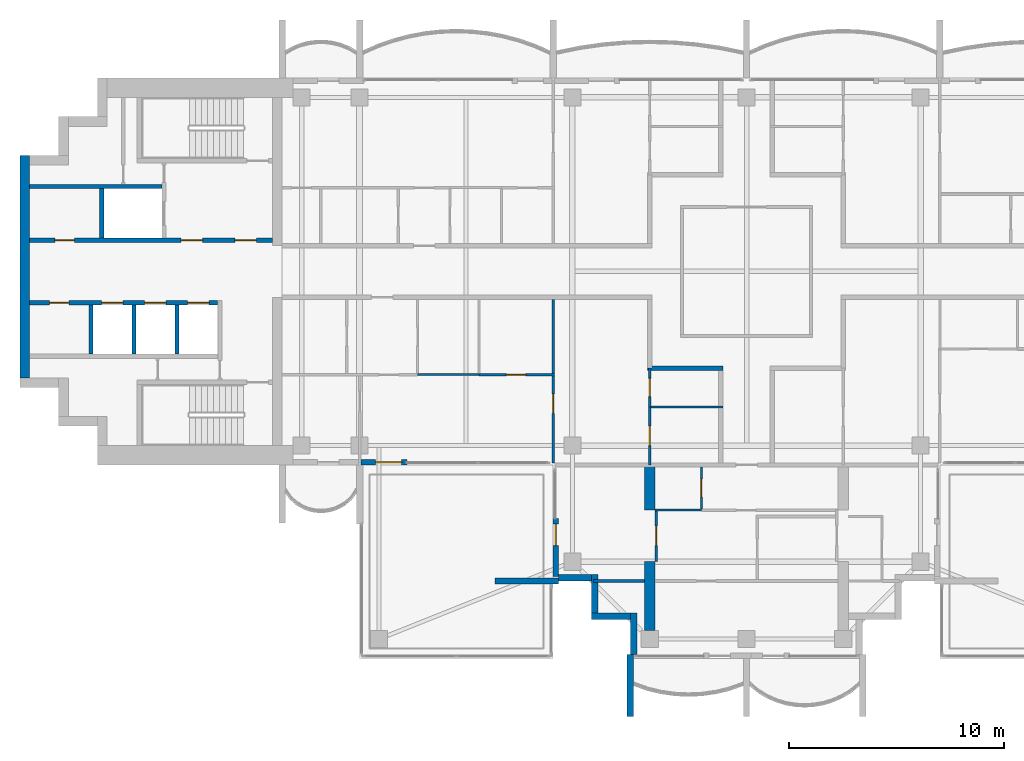
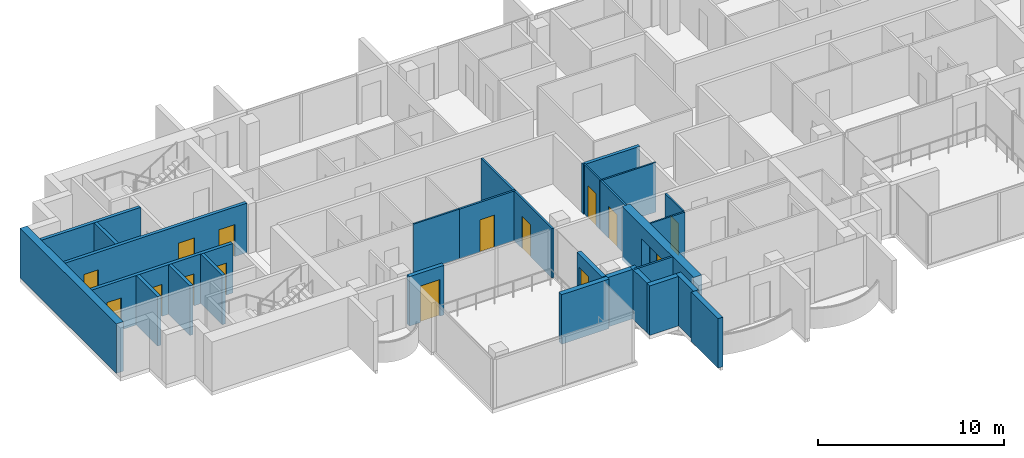
# One storey, part 7 of 16: 28 walls, 15 doors, 15 openings.
"""IFC4 building model written with IfcOpenShell, lengths in metres."""

from ifc_helpers import new_model, si_unit, direction, frame, frame_2d, origin, place, context, subcontext, project, spatial, polyline, rectangle, outline, extrude, material, layer, layer_set, material_profile, profile_set, type_object, element, fill, save


model = new_model("IFC4")

# Units and contexts
model_context = context("Model", 3, precision=1e-05, world=origin(), true_north=direction((0.0, 1.0)))
body_context = subcontext(model_context, "Body", "Model", "MODEL_VIEW")
ifc_project = project(units=[si_unit("LENGTHUNIT", "METRE"), si_unit("AREAUNIT", "SQUARE_METRE"), si_unit("VOLUMEUNIT", "CUBIC_METRE"), si_unit("PLANEANGLEUNIT", "RADIAN"), si_unit("MASSUNIT", "GRAM", prefix="KILO")], contexts=[model_context])

# Site, building, storey
site_placement = place(None, origin())
site = spatial("IfcSite", under=ifc_project, at=site_placement, CompositionType="ELEMENT")
building_placement = place(site_placement, origin())
building = spatial("IfcBuilding", under=site, at=building_placement, Name="Perihelion Cross Residences", CompositionType="ELEMENT")
storey_placement = place(building_placement, frame((0.0, 0.0, 257.0)))
storey = spatial("IfcBuildingStorey", under=building, at=storey_placement, Name="L65", CompositionType="ELEMENT", Elevation=257.0)

# Wall
ifc_material_1 = material(Name="Plasterboard partition")
ifc_layer_1 = layer(ifc_material_1, 0.199951171875)
ifc_layer_set_1 = layer_set([ifc_layer_1], Name="Apartment separation wall 200")
wall_type_1 = type_object("IfcWallType", Name="Apartment separation wall 200", PredefinedType="PARTITIONING", material=ifc_layer_set_1)
wall_1_placement = place(storey_placement, frame((-1.10009765625, -4.5, 0.0), z_axis=(0.0, 0.0, 1.0), x_axis=(-1.0, 0.0, 0.0)))
element("IfcWall", 1, at=wall_1_placement, inside=storey, type_object=wall_type_1, Name="Partition L65 W020", PredefinedType="PARTITIONING", context=body_context, shape_type="SweptSolid", body=[
    extrude(rectangle(XDim=3.5, YDim=0.199951171875, at=frame_2d((1.75, 0.0))), origin(), (0.0, 0.0, 1.0), 3.25),
])

# Wall, opening, door
ifc_material_2 = material(Name="Concrete C30/37, bronze-clad", Category="concrete")
ifc_layer_2 = layer(ifc_material_2, 0.25)
ifc_layer_set_2 = layer_set([ifc_layer_2], Name="Bronze-clad pier wall 250")
wall_type_2 = type_object("IfcWallType", Name="Bronze-clad pier wall 250", PredefinedType="SOLIDWALL", material=ifc_layer_set_2)
wall_2_placement = place(storey_placement, frame((-17.93994140625, -8.875, 0.0), z_axis=(0.0, 0.0, 1.0), x_axis=(1.0, 0.0, 0.0)))
wall_2 = element("IfcWall", 2, at=wall_2_placement, inside=storey, type_object=wall_type_2, Name="Wall FW1 L65 west side south bay 2 pier", PredefinedType="SOLIDWALL", context=body_context, shape_type="SweptSolid", body=[
    extrude(rectangle(XDim=2.139892578125, YDim=0.25, at=frame_2d((1.06982421875, 0.0))), origin(), (0.0, 0.0, 1.0), 3.25),
])
opening_1_placement = place(wall_2_placement, frame((0.68994140625, 0.0, 0.0)))
opening_1 = element("IfcOpeningElement", 3, at=opening_1_placement, cuts=wall_2, Name="Opening L65.E08", PredefinedType="OPENING", context=body_context, shape_type="SweptSolid", body=[
    extrude(rectangle(XDim=1.199951171875, YDim=2.39990234375, at=frame_2d((0.60009765625, 1.199951171875))), frame((0.0, 0.135009765625, 0.0), z_axis=(0.0, -1.0, 0.0), x_axis=(1.0, 0.0, 0.0)), (0.0, 0.0, 1.0), 0.27001953125),
])
ifc_material_3 = material(Name="Bronze anodised aluminium, glazed", Category="aluminium")
door_type_1 = type_object("IfcDoorType", Name="Balcony door 1200 x 2400", OperationType="NOTDEFINED", PredefinedType="DOOR", material=ifc_material_3)
door_1_placement = place(opening_1_placement, origin())
door_1 = element("IfcDoor", 4, at=door_1_placement, inside=storey, type_object=door_type_1, Name="Door L65.E08 west side south bay 2", OperationType="SINGLE_SWING_RIGHT", OverallHeight=2.39990234375, OverallWidth=1.199951171875, PredefinedType="DOOR", context=body_context, shape_type="SweptSolid", body=[
    extrude(rectangle(XDim=1.199951171875, YDim=2.39990234375, at=frame_2d((0.60009765625, 1.199951171875))), frame((0.0, 0.02490234375, 0.0), z_axis=(0.0, -1.0, 0.0), x_axis=(1.0, 0.0, 0.0)), (0.0, 0.0, 1.0), 0.050048828125),
])
fill(opening_1, door_1)

wall_3_placement = place(storey_placement, frame((-8.875, -11.5, 0.0), z_axis=(0.0, 0.0, 1.0), x_axis=(0.0, -1.0, 0.0)))
wall_3 = element("IfcWall", 5, at=wall_3_placement, inside=storey, type_object=wall_type_2, Name="Wall FW1 L65 south side west bay 1 pier", PredefinedType="SOLIDWALL", context=body_context, shape_type="SweptSolid", body=[
    extrude(rectangle(XDim=2.699951171875, YDim=0.25, at=frame_2d((1.35009765625, 0.0))), origin(), (0.0, 0.0, 1.0), 3.25),
])
opening_2_placement = place(wall_3_placement, frame((0.25, 0.0, 0.0)))
opening_2 = element("IfcOpeningElement", 6, at=opening_2_placement, cuts=wall_3, Name="Opening L65.E09", PredefinedType="OPENING", context=body_context, shape_type="SweptSolid", body=[
    extrude(rectangle(XDim=1.0, YDim=2.39990234375, at=frame_2d((0.5, 1.199951171875))), frame((0.0, 0.135009765625, 0.0), z_axis=(0.0, -1.0, 0.0), x_axis=(1.0, 0.0, 0.0)), (0.0, 0.0, 1.0), 0.27001953125),
])
ifc_material_4 = material(Name="Bronze anodised aluminium, glazed", Category="aluminium")
door_type_2 = type_object("IfcDoorType", Name="Balcony door 1000 x 2400", OperationType="NOTDEFINED", PredefinedType="DOOR", material=ifc_material_4)
door_2_placement = place(opening_2_placement, origin())
door_2 = element("IfcDoor", 7, at=door_2_placement, inside=storey, type_object=door_type_2, Name="Door L65.E09 south side west bay 1", OperationType="SINGLE_SWING_LEFT", OverallHeight=2.39990234375, OverallWidth=1.0, PredefinedType="DOOR", context=body_context, shape_type="SweptSolid", body=[
    extrude(rectangle(XDim=1.0, YDim=2.39990234375, at=frame_2d((0.5, 1.199951171875))), frame((0.0, 0.02490234375, 0.0), z_axis=(0.0, -1.0, 0.0), x_axis=(1.0, 0.0, 0.0)), (0.0, 0.0, 1.0), 0.050048828125),
])
fill(opening_2, door_2)

# Walls
ifc_material_5 = material(Name="Concrete C30/37, bronze-clad", Category="concrete")
ifc_layer_3 = layer(ifc_material_5, 0.300048828125)
ifc_layer_set_3 = layer_set([ifc_layer_3], Name="Bronze-clad serration wall 300")
wall_type_3 = type_object("IfcWallType", Name="Bronze-clad serration wall 300", PredefinedType="SOLIDWALL", material=ifc_layer_set_3)
wall_4_placement = place(storey_placement, frame((-8.75, -14.25, 0.0), z_axis=(0.0, 0.0, 1.0), x_axis=(1.0, 0.0, 0.0)))
element("IfcWall", 8, at=wall_4_placement, inside=storey, type_object=wall_type_3, Name="Wall SR1 L65 south corner south-west 1", PredefinedType="SOLIDWALL", context=body_context, shape_type="SweptSolid", body=[
    extrude(rectangle(XDim=1.550048828125, YDim=0.300048828125, at=frame_2d((0.77490234375, 0.0))), origin(), (0.0, 0.0, 1.0), 3.25),
])
wall_5_placement = place(storey_placement, frame((-7.050048828125, -14.10009765625, 0.0), z_axis=(0.0, 0.0, 1.0), x_axis=(0.0, -1.0, 0.0)))
element("IfcWall", 9, at=wall_5_placement, inside=storey, type_object=wall_type_3, Name="Wall SR1 L65 south corner south-west 2", PredefinedType="SOLIDWALL", context=body_context, shape_type="SweptSolid", body=[
    extrude(rectangle(XDim=1.7998046875, YDim=0.300048828125, at=frame_2d((0.89990234375, 0.0))), origin(), (0.0, 0.0, 1.0), 3.25),
])
wall_6_placement = place(storey_placement, frame((-7.199951171875, -16.050048828125, 0.0), z_axis=(0.0, 0.0, 1.0), x_axis=(1.0, 0.0, 0.0)))
element("IfcWall", 10, at=wall_6_placement, inside=storey, type_object=wall_type_3, Name="Wall SR1 L65 south corner south-west 3", PredefinedType="SOLIDWALL", context=body_context, shape_type="SweptSolid", body=[
    extrude(rectangle(XDim=1.800048828125, YDim=0.300048828125, at=frame_2d((0.89990234375, 0.0))), origin(), (0.0, 0.0, 1.0), 3.25),
])
wall_7_placement = place(storey_placement, frame((-5.25, -15.89990234375, 0.0), z_axis=(0.0, 0.0, 1.0), x_axis=(0.0, -1.0, 0.0)))
element("IfcWall", 11, at=wall_7_placement, inside=storey, type_object=wall_type_3, Name="Wall SR1 L65 south corner south-west 4", PredefinedType="SOLIDWALL", context=body_context, shape_type="SweptSolid", body=[
    extrude(rectangle(XDim=1.920166015625, YDim=0.300048828125, at=frame_2d((0.9599609375, 0.0))), origin(), (0.0, 0.0, 1.0), 3.25),
])
ifc_material_6 = material(Name="Concrete C60/75", Category="concrete")
ifc_layer_4 = layer(ifc_material_6, 0.449951171875)
ifc_layer_set_4 = layer_set([ifc_layer_4], Name="Core wall, outer 450")
wall_type_4 = type_object("IfcWallType", Name="Core wall, outer 450", PredefinedType="SHEAR", material=ifc_layer_set_4)
wall_8_placement = place(storey_placement, frame((-33.574951171875, -4.949951171875, 0.0), z_axis=(0.0, 0.0, 1.0), x_axis=(0.0, 1.0, 0.0)))
element("IfcWall", 12, at=wall_8_placement, inside=storey, type_object=wall_type_4, Name="West core core wall, outer", PredefinedType="SHEAR", context=body_context, shape_type="SweptSolid", body=[
    extrude(rectangle(XDim=10.349853515625, YDim=0.449951171875, at=frame_2d((5.1748046875, 0.0))), origin(), (0.0, 0.0, 1.0), 3.25),
])

# Wall, opening, door
ifc_material_7 = material(Name="Plasterboard partition")
ifc_layer_5 = layer(ifc_material_7, 0.1201171875)
ifc_layer_set_5 = layer_set([ifc_layer_5], Name="Infill panel 120")
wall_type_5 = type_object("IfcWallType", Name="Infill panel 120", PredefinedType="PARTITIONING", material=ifc_layer_set_5)
wall_9_placement = place(storey_placement, frame((-4.18994140625, -11.10009765625, 0.0), z_axis=(0.0, 0.0, 1.0), x_axis=(0.0, -1.0, 0.0)))
wall_9 = element("IfcWall", 13, at=wall_9_placement, inside=storey, type_object=wall_type_5, Name="Partition L65 WI02", PredefinedType="PARTITIONING", context=body_context, shape_type="SweptSolid", body=[
    extrude(rectangle(XDim=2.39990234375, YDim=0.1201171875, at=frame_2d((1.199951171875, 0.0))), origin(), (0.0, 0.0, 1.0), 2.39990234375),
])
opening_3_placement = place(wall_9_placement, frame((0.75, 0.0, 0.0)))
opening_3 = element("IfcOpeningElement", 14, at=opening_3_placement, cuts=wall_9, Name="Opening L65.A45", PredefinedType="OPENING", context=body_context, shape_type="SweptSolid", body=[
    extrude(rectangle(XDim=0.89990234375, YDim=2.10009765625, at=frame_2d((0.449951171875, 1.050048828125))), frame((0.0, 0.070068359375, 0.0), z_axis=(0.0, -1.0, 0.0), x_axis=(1.0, 0.0, 0.0)), (0.0, 0.0, 1.0), 0.14013671875),
])
ifc_material_8 = material(Name="Timber door leaf", Category="wood")
door_type_3 = type_object("IfcDoorType", Name="Interior room door 900 x 2100", OperationType="SINGLE_SWING_LEFT", PredefinedType="DOOR", material=ifc_material_8)
door_3_placement = place(opening_3_placement, origin())
door_3 = element("IfcDoor", 15, at=door_3_placement, inside=storey, type_object=door_type_3, Name="Door L65.A45", OperationType="SINGLE_SWING_LEFT", OverallHeight=2.10009765625, OverallWidth=0.89990234375, PredefinedType="DOOR", context=body_context, shape_type="SweptSolid", body=[
    extrude(rectangle(XDim=0.89990234375, YDim=2.10009765625, at=frame_2d((0.449951171875, 1.050048828125))), frame((0.0, 0.02490234375, 0.0), z_axis=(0.0, -1.0, 0.0), x_axis=(1.0, 0.0, 0.0)), (0.0, 0.0, 1.0), 0.050048828125),
])
fill(opening_3, door_3)

ifc_material_9 = material(Name="Plasterboard partition")
ifc_layer_6 = layer(ifc_material_9, 0.1201171875)
ifc_layer_set_6 = layer_set([ifc_layer_6], Name="Partition wall 120")
wall_type_6 = type_object("IfcWallType", Name="Partition wall 120", PredefinedType="PARTITIONING", material=ifc_layer_set_6)
wall_10_placement = place(storey_placement, frame((-8.93994140625, -4.800048828125, 0.0), z_axis=(0.0, 0.0, 1.0), x_axis=(-1.0, 0.0, 0.0)))
wall_10 = element("IfcWall", 16, at=wall_10_placement, inside=storey, type_object=wall_type_6, Name="Partition L65 W055", PredefinedType="PARTITIONING", context=body_context, shape_type="SweptSolid", body=[
    extrude(rectangle(XDim=3.510009765625, YDim=0.1201171875, at=frame_2d((1.7548828125, 0.0))), origin(), (0.0, 0.0, 1.0), 3.25),
])
opening_4_placement = place(wall_10_placement, frame((1.3349609375, 0.0, 0.0)))
opening_4 = element("IfcOpeningElement", 17, at=opening_4_placement, cuts=wall_10, Name="Opening L65.A33", PredefinedType="OPENING", context=body_context, shape_type="SweptSolid", body=[
    extrude(rectangle(XDim=0.89990234375, YDim=2.10009765625, at=frame_2d((0.449951171875, 1.050048828125))), frame((0.0, 0.070068359375, 0.0), z_axis=(0.0, -1.0, 0.0), x_axis=(1.0, 0.0, 0.0)), (0.0, 0.0, 1.0), 0.14013671875),
])
door_4_placement = place(opening_4_placement, origin())
door_4 = element("IfcDoor", 18, at=door_4_placement, inside=storey, type_object=door_type_3, Name="Door L65.A33", OperationType="SINGLE_SWING_RIGHT", OverallHeight=2.10009765625, OverallWidth=0.89990234375, PredefinedType="DOOR", context=body_context, shape_type="SweptSolid", body=[
    extrude(rectangle(XDim=0.89990234375, YDim=2.10009765625, at=frame_2d((0.449951171875, 1.050048828125))), frame((0.0, 0.02490234375, 0.0), z_axis=(0.0, -1.0, 0.0), x_axis=(1.0, 0.0, 0.0)), (0.0, 0.0, 1.0), 0.050048828125),
])
fill(opening_4, door_4)

wall_11_placement = place(storey_placement, frame((-9.0, -1.300048828125, 0.0), z_axis=(0.0, 0.0, 1.0), x_axis=(0.0, -1.0, 0.0)))
wall_11 = element("IfcWall", 19, at=wall_11_placement, inside=storey, type_object=wall_type_6, Name="Partition L65 W056", PredefinedType="PARTITIONING", context=body_context, shape_type="SweptSolid", body=[
    extrude(rectangle(XDim=7.619873046875, YDim=0.1201171875, at=frame_2d((3.81005859375, 0.0))), origin(), (0.0, 0.0, 1.0), 3.25),
])
opening_5_placement = place(wall_11_placement, frame((4.39990234375, 0.0, 0.0)))
opening_5 = element("IfcOpeningElement", 20, at=opening_5_placement, cuts=wall_11, Name="Opening L65.A30", PredefinedType="OPENING", context=body_context, shape_type="SweptSolid", body=[
    extrude(rectangle(XDim=0.89990234375, YDim=2.10009765625, at=frame_2d((0.449951171875, 1.050048828125))), frame((0.0, 0.070068359375, 0.0), z_axis=(0.0, -1.0, 0.0), x_axis=(1.0, 0.0, 0.0)), (0.0, 0.0, 1.0), 0.14013671875),
])
door_5_placement = place(opening_5_placement, origin())
door_5 = element("IfcDoor", 21, at=door_5_placement, inside=storey, type_object=door_type_3, Name="Door L65.A30", OperationType="SINGLE_SWING_RIGHT", OverallHeight=2.10009765625, OverallWidth=0.89990234375, PredefinedType="DOOR", context=body_context, shape_type="SweptSolid", body=[
    extrude(rectangle(XDim=0.89990234375, YDim=2.10009765625, at=frame_2d((0.449951171875, 1.050048828125))), frame((0.0, 0.02490234375, 0.0), z_axis=(0.0, -1.0, 0.0), x_axis=(1.0, 0.0, 0.0)), (0.0, 0.0, 1.0), 0.050048828125),
])
fill(opening_5, door_5)

wall_12_placement = place(storey_placement, frame((-4.5, -6.300048828125, 0.0), z_axis=(0.0, 0.0, 1.0), x_axis=(0.0, -1.0, 0.0)))
wall_12 = element("IfcWall", 22, at=wall_12_placement, inside=storey, type_object=wall_type_6, Name="Partition L65 W063", PredefinedType="PARTITIONING", context=body_context, shape_type="SweptSolid", body=[
    extrude(rectangle(XDim=2.699951171875, YDim=0.1201171875, at=frame_2d((1.35009765625, 0.0))), origin(), (0.0, 0.0, 1.0), 3.25),
])
opening_6_placement = place(wall_12_placement, frame((0.89990234375, 0.0, 0.0)))
opening_6 = element("IfcOpeningElement", 23, at=opening_6_placement, cuts=wall_12, Name="Opening L65.A31", PredefinedType="OPENING", context=body_context, shape_type="SweptSolid", body=[
    extrude(rectangle(XDim=0.89990234375, YDim=2.10009765625, at=frame_2d((0.449951171875, 1.050048828125))), frame((0.0, 0.070068359375, 0.0), z_axis=(0.0, -1.0, 0.0), x_axis=(1.0, 0.0, 0.0)), (0.0, 0.0, 1.0), 0.14013671875),
])
door_6_placement = place(opening_6_placement, origin())
door_6 = element("IfcDoor", 24, at=door_6_placement, inside=storey, type_object=door_type_3, Name="Door L65.A31", OperationType="SINGLE_SWING_RIGHT", OverallHeight=2.10009765625, OverallWidth=0.89990234375, PredefinedType="DOOR", context=body_context, shape_type="SweptSolid", body=[
    extrude(rectangle(XDim=0.89990234375, YDim=2.10009765625, at=frame_2d((0.449951171875, 1.050048828125))), frame((0.0, 0.02490234375, 0.0), z_axis=(0.0, -1.0, 0.0), x_axis=(1.0, 0.0, 0.0)), (0.0, 0.0, 1.0), 0.050048828125),
])
fill(opening_6, door_6)

# Walls
wall_13_placement = place(storey_placement, frame((-4.75, -14.39990234375, 0.0), z_axis=(0.0, 0.0, 1.0), x_axis=(-1.0, 0.0, 0.0)))
element("IfcWall", 25, at=wall_13_placement, inside=storey, type_object=wall_type_6, Name="Partition L65 W075", PredefinedType="PARTITIONING", context=body_context, shape_type="SweptSolid", body=[
    extrude(rectangle(XDim=2.3701171875, YDim=0.1201171875, at=frame_2d((1.18505859375, 0.0))), origin(), (0.0, 0.0, 1.0), 3.25),
])
ifc_material_10 = material(Name="Precast concrete C50/60", Category="concrete")
ifc_layer_7 = layer(ifc_material_10, 0.300048828125)
ifc_layer_set_7 = layer_set([ifc_layer_7], Name="Precast concrete C50/60 blade wall 300")
wall_type_7 = type_object("IfcWallType", Name="Precast concrete C50/60 blade wall 300", PredefinedType="SOLIDWALL", material=ifc_layer_set_7)
wall_14_placement = place(storey_placement, frame((-8.75, -14.39990234375, 0.0), z_axis=(0.0, 0.0, 1.0), x_axis=(-1.0, 0.0, 0.0)))
element("IfcWall", 26, at=wall_14_placement, inside=storey, type_object=wall_type_7, Name="Wall BL1 L65 no. 6", PredefinedType="SOLIDWALL", context=body_context, shape_type="SweptSolid", body=[
    extrude(rectangle(XDim=2.949951171875, YDim=0.300048828125, at=frame_2d((1.47509765625, 0.0))), origin(), (0.0, 0.0, 1.0), 3.25),
])
wall_15_placement = place(storey_placement, frame((-5.39990234375, -17.820068359375, 0.0), z_axis=(0.0, 0.0, 1.0), x_axis=(0.0, -1.0, 0.0)))
element("IfcWall", 27, at=wall_15_placement, inside=storey, type_object=wall_type_7, Name="Wall BL1 L65 no. 5", PredefinedType="SOLIDWALL", context=body_context, shape_type="SweptSolid", body=[
    extrude(rectangle(XDim=2.8798828125, YDim=0.300048828125, at=frame_2d((1.43994140625, 0.0))), origin(), (0.0, 0.0, 1.0), 3.25),
])

# Wall, openings, doors
ifc_material_11 = material(Name="Concrete C50/60", Category="concrete")
ifc_layer_8 = layer(ifc_material_11, 0.199951171875)
ifc_layer_set_8 = layer_set([ifc_layer_8], Name="Shaft wall 200")
wall_type_8 = type_object("IfcWallType", Name="Shaft wall 200", PredefinedType="SOLIDWALL", material=ifc_layer_set_8)
wall_16_placement = place(storey_placement, frame((-33.35009765625, 1.449951171875, 0.0), z_axis=(0.0, 0.0, 1.0), x_axis=(1.0, 0.0, 0.0)))
wall_16 = element("IfcWall", 28, at=wall_16_placement, inside=storey, type_object=wall_type_8, Name="West core shaft wall", PredefinedType="SOLIDWALL", context=body_context, shape_type="SweptSolid", body=[
    extrude(rectangle(XDim=11.300048828125, YDim=0.199951171875, at=frame_2d((5.64990234375, 0.0))), origin(), (0.0, 0.0, 1.0), 3.25),
])
opening_7_placement = place(wall_16_placement, frame((9.550048828125, 0.0, 0.0)))
opening_7 = element("IfcOpeningElement", 29, at=opening_7_placement, cuts=wall_16, Name="Opening L65.C21", PredefinedType="OPENING", context=body_context, shape_type="SweptSolid", body=[
    extrude(rectangle(XDim=1.0, YDim=2.10009765625, at=frame_2d((0.5, 1.050048828125))), frame((0.0, 0.10986328125, 0.0), z_axis=(0.0, -1.0, 0.0), x_axis=(1.0, 0.0, 0.0)), (0.0, 0.0, 1.0), 0.219970703125),
])
opening_8_placement = place(wall_16_placement, frame((7.050048828125, 0.0, 0.0)))
opening_8 = element("IfcOpeningElement", 30, at=opening_8_placement, cuts=wall_16, Name="Opening L65.C23", PredefinedType="OPENING", context=body_context, shape_type="SweptSolid", body=[
    extrude(rectangle(XDim=1.0, YDim=2.10009765625, at=frame_2d((0.5, 1.050048828125))), frame((0.0, 0.10986328125, 0.0), z_axis=(0.0, -1.0, 0.0), x_axis=(1.0, 0.0, 0.0)), (0.0, 0.0, 1.0), 0.219970703125),
])
opening_9_placement = place(wall_16_placement, frame((1.175048828125, 0.0, 0.0)))
opening_9 = element("IfcOpeningElement", 31, at=opening_9_placement, cuts=wall_16, Name="Opening L65.C27", PredefinedType="OPENING", context=body_context, shape_type="SweptSolid", body=[
    extrude(rectangle(XDim=0.89990234375, YDim=2.10009765625, at=frame_2d((0.449951171875, 1.050048828125))), frame((0.0, 0.10986328125, 0.0), z_axis=(0.0, -1.0, 0.0), x_axis=(1.0, 0.0, 0.0)), (0.0, 0.0, 1.0), 0.219970703125),
])
ifc_material_12 = material(Name="Steel, powder coated", Category="steel")
door_type_4 = type_object("IfcDoorType", Name="Lobby door 1000", OperationType="SINGLE_SWING_LEFT", PredefinedType="DOOR", material=ifc_material_12)
door_7_placement = place(opening_7_placement, origin())
door_7 = element("IfcDoor", 32, at=door_7_placement, inside=storey, type_object=door_type_4, Name="West core firefighting lobby door", OperationType="SINGLE_SWING_LEFT", OverallHeight=2.10009765625, OverallWidth=1.0, PredefinedType="DOOR", context=body_context, shape_type="SweptSolid", body=[
    extrude(rectangle(XDim=1.0, YDim=2.10009765625, at=frame_2d((0.5, 1.050048828125))), frame((0.0, 0.02490234375, 0.0), z_axis=(0.0, -1.0, 0.0), x_axis=(1.0, 0.0, 0.0)), (0.0, 0.0, 1.0), 0.050048828125),
])
fill(opening_7, door_7)
door_8_placement = place(opening_8_placement, origin())
door_8 = element("IfcDoor", 33, at=door_8_placement, inside=storey, type_object=door_type_4, Name="West core firefighting lobby door", OperationType="SINGLE_SWING_LEFT", OverallHeight=2.10009765625, OverallWidth=1.0, PredefinedType="DOOR", context=body_context, shape_type="SweptSolid", body=[
    extrude(rectangle(XDim=1.0, YDim=2.10009765625, at=frame_2d((0.5, 1.050048828125))), frame((0.0, 0.02490234375, 0.0), z_axis=(0.0, -1.0, 0.0), x_axis=(1.0, 0.0, 0.0)), (0.0, 0.0, 1.0), 0.050048828125),
])
fill(opening_8, door_8)
ifc_material_13 = material(Name="Steel, powder coated", Category="steel")
door_type_5 = type_object("IfcDoorType", Name="Service room door 900", OperationType="SINGLE_SWING_LEFT", PredefinedType="DOOR", material=ifc_material_13)
door_9_placement = place(opening_9_placement, origin())
door_9 = element("IfcDoor", 34, at=door_9_placement, inside=storey, type_object=door_type_5, Name="West core service room door", OperationType="SINGLE_SWING_LEFT", OverallHeight=2.10009765625, OverallWidth=0.89990234375, PredefinedType="DOOR", context=body_context, shape_type="SweptSolid", body=[
    extrude(rectangle(XDim=0.89990234375, YDim=2.10009765625, at=frame_2d((0.449951171875, 1.050048828125))), frame((0.0, 0.02490234375, 0.0), z_axis=(0.0, -1.0, 0.0), x_axis=(1.0, 0.0, 0.0)), (0.0, 0.0, 1.0), 0.050048828125),
])
fill(opening_9, door_9)

wall_17_placement = place(storey_placement, frame((-33.35009765625, -1.449951171875, 0.0), z_axis=(0.0, 0.0, 1.0), x_axis=(1.0, 0.0, 0.0)))
wall_17 = element("IfcWall", 35, at=wall_17_placement, inside=storey, type_object=wall_type_8, Name="West core shaft wall", PredefinedType="SOLIDWALL", context=body_context, shape_type="SweptSolid", body=[
    extrude(rectangle(XDim=8.75, YDim=0.199951171875, at=frame_2d((4.375, 0.0))), origin(), (0.0, 0.0, 1.0), 3.25),
])
opening_10_placement = place(wall_17_placement, frame((7.35009765625, 0.0, 0.0)))
opening_10 = element("IfcOpeningElement", 36, at=opening_10_placement, cuts=wall_17, Name="Opening L65.C15", PredefinedType="OPENING", context=body_context, shape_type="SweptSolid", body=[
    extrude(rectangle(XDim=1.0, YDim=2.10009765625, at=frame_2d((0.5, 1.050048828125))), frame((0.0, 0.10986328125, 0.0), z_axis=(0.0, -1.0, 0.0), x_axis=(1.0, 0.0, 0.0)), (0.0, 0.0, 1.0), 0.219970703125),
])
opening_11_placement = place(wall_17_placement, frame((5.35009765625, 0.0, 0.0)))
opening_11 = element("IfcOpeningElement", 37, at=opening_11_placement, cuts=wall_17, Name="Opening L65.C17", PredefinedType="OPENING", context=body_context, shape_type="SweptSolid", body=[
    extrude(rectangle(XDim=1.0, YDim=2.10009765625, at=frame_2d((0.5, 1.050048828125))), frame((0.0, 0.10986328125, 0.0), z_axis=(0.0, -1.0, 0.0), x_axis=(1.0, 0.0, 0.0)), (0.0, 0.0, 1.0), 0.219970703125),
])
opening_12_placement = place(wall_17_placement, frame((3.35009765625, 0.0, 0.0)))
opening_12 = element("IfcOpeningElement", 38, at=opening_12_placement, cuts=wall_17, Name="Opening L65.C18", PredefinedType="OPENING", context=body_context, shape_type="SweptSolid", body=[
    extrude(rectangle(XDim=1.0, YDim=2.10009765625, at=frame_2d((0.5, 1.050048828125))), frame((0.0, 0.10986328125, 0.0), z_axis=(0.0, -1.0, 0.0), x_axis=(1.0, 0.0, 0.0)), (0.0, 0.0, 1.0), 0.219970703125),
])
opening_13_placement = place(wall_17_placement, frame((0.925048828125, 0.0, 0.0)))
opening_13 = element("IfcOpeningElement", 39, at=opening_13_placement, cuts=wall_17, Name="Opening L65.C28", PredefinedType="OPENING", context=body_context, shape_type="SweptSolid", body=[
    extrude(rectangle(XDim=0.89990234375, YDim=2.10009765625, at=frame_2d((0.449951171875, 1.050048828125))), frame((0.0, 0.10986328125, 0.0), z_axis=(0.0, -1.0, 0.0), x_axis=(1.0, 0.0, 0.0)), (0.0, 0.0, 1.0), 0.219970703125),
])
ifc_material_14 = material(Name="Stainless steel", Category="steel")
door_type_6 = type_object("IfcDoorType", Name="Landing door 1000", OperationType="DOUBLE_DOOR_SLIDING", PredefinedType="DOOR", material=ifc_material_14)
door_10_placement = place(opening_10_placement, origin())
door_10 = element("IfcDoor", 40, at=door_10_placement, inside=storey, type_object=door_type_6, Name="Landing door, West core high-rise lift 1", OperationType="DOUBLE_DOOR_SLIDING", OverallHeight=2.10009765625, OverallWidth=1.0, PredefinedType="DOOR", context=body_context, shape_type="SweptSolid", body=[
    extrude(rectangle(XDim=1.0, YDim=2.10009765625, at=frame_2d((0.5, 1.050048828125))), frame((0.0, 0.02490234375, 0.0), z_axis=(0.0, -1.0, 0.0), x_axis=(1.0, 0.0, 0.0)), (0.0, 0.0, 1.0), 0.050048828125),
])
fill(opening_10, door_10)
door_11_placement = place(opening_11_placement, origin())
door_11 = element("IfcDoor", 41, at=door_11_placement, inside=storey, type_object=door_type_6, Name="Landing door, West core high-rise lift 2", OperationType="DOUBLE_DOOR_SLIDING", OverallHeight=2.10009765625, OverallWidth=1.0, PredefinedType="DOOR", context=body_context, shape_type="SweptSolid", body=[
    extrude(rectangle(XDim=1.0, YDim=2.10009765625, at=frame_2d((0.5, 1.050048828125))), frame((0.0, 0.02490234375, 0.0), z_axis=(0.0, -1.0, 0.0), x_axis=(1.0, 0.0, 0.0)), (0.0, 0.0, 1.0), 0.050048828125),
])
fill(opening_11, door_11)
door_12_placement = place(opening_12_placement, origin())
door_12 = element("IfcDoor", 42, at=door_12_placement, inside=storey, type_object=door_type_6, Name="Landing door, West core high-rise lift 3", OperationType="DOUBLE_DOOR_SLIDING", OverallHeight=2.10009765625, OverallWidth=1.0, PredefinedType="DOOR", context=body_context, shape_type="SweptSolid", body=[
    extrude(rectangle(XDim=1.0, YDim=2.10009765625, at=frame_2d((0.5, 1.050048828125))), frame((0.0, 0.02490234375, 0.0), z_axis=(0.0, -1.0, 0.0), x_axis=(1.0, 0.0, 0.0)), (0.0, 0.0, 1.0), 0.050048828125),
])
fill(opening_12, door_12)
door_13_placement = place(opening_13_placement, origin())
door_13 = element("IfcDoor", 43, at=door_13_placement, inside=storey, type_object=door_type_5, Name="West core service room door", OperationType="SINGLE_SWING_LEFT", OverallHeight=2.10009765625, OverallWidth=0.89990234375, PredefinedType="DOOR", context=body_context, shape_type="SweptSolid", body=[
    extrude(rectangle(XDim=0.89990234375, YDim=2.10009765625, at=frame_2d((0.449951171875, 1.050048828125))), frame((0.0, 0.02490234375, 0.0), z_axis=(0.0, -1.0, 0.0), x_axis=(1.0, 0.0, 0.0)), (0.0, 0.0, 1.0), 0.050048828125),
])
fill(opening_13, door_13)

# Walls
wall_18_placement = place(storey_placement, frame((-33.35009765625, 3.949951171875, 0.0), z_axis=(0.0, 0.0, 1.0), x_axis=(1.0, 0.0, 0.0)))
element("IfcWall", 44, at=wall_18_placement, inside=storey, type_object=wall_type_8, Name="West core shaft wall", PredefinedType="SOLIDWALL", context=body_context, shape_type="SweptSolid", body=[
    extrude(rectangle(XDim=6.150146484375, YDim=0.199951171875, at=frame_2d((3.0751953125, 0.0))), origin(), (0.0, 0.0, 1.0), 3.25),
])
for number, where, z_axis, x_axis, name in (
    (45, (-30.0, 1.550048828125, 0.0), (0.0, 0.0, 1.0), (0.0, 1.0, 0.0), "West core shaft wall"),
    (46, (-26.5, -3.85009765625, 0.0), (0.0, 0.0, 1.0), (0.0, 1.0, 0.0), "West core shaft wall"),
    (47, (-28.5, -3.85009765625, 0.0), (0.0, 0.0, 1.0), (0.0, 1.0, 0.0), "West core shaft wall"),
    (48, (-30.5, -3.85009765625, 0.0), (0.0, 0.0, 1.0), (0.0, 1.0, 0.0), "West core shaft wall"),
):
    element("IfcWall", number, at=place(storey_placement, frame(where, z_axis=z_axis, x_axis=x_axis)), inside=storey, type_object=wall_type_8, Name=name, PredefinedType="SOLIDWALL", context=body_context, shape_type="SweptSolid", body=[
        extrude(rectangle(XDim=2.300048828125, YDim=0.199951171875, at=frame_2d((1.14990234375, 0.0))), origin(), (0.0, 0.0, 1.0), 3.25),
    ])
ifc_material_15 = material(Name="Concrete C50/60", Category="concrete")
ifc_material_profile = material_profile(ifc_material_15, outline(polyline([(0.0, 0.0), (3.199951171875, 0.0), (3.199951171875, 2.64990234375), (5.60009765625, 2.64990234375), (5.60009765625, 0.0), (7.699951171875, 0.0), (7.699951171875, 3.5), (0.0, 3.5), (0.0, 0.0)])), Name="Tip spine wall")
ifc_profile_set = profile_set([ifc_material_profile], Name="Concrete C50/60")
wall_type_9 = type_object("IfcWallType", Name="Tip spine wall 500 with 1 door openings 7700 long 3500 high concrete C50/60", PredefinedType="SHEAR", material=ifc_profile_set)
wall_19_placement = place(storey_placement, frame((-4.75, -16.699951171875, -0.25), z_axis=(1.0, 0.0, 0.0), x_axis=(0.0, 1.0, 0.0)))
element("IfcWall", 49, at=wall_19_placement, inside=storey, type_object=wall_type_9, Name="Shear wall SW45 L65 south west", PredefinedType="SHEAR", context=body_context, shape_type="SweptSolid", body=[
    extrude(outline(polyline([(0.0, 0.0), (3.199951171875, 0.0), (3.199951171875, 2.64990234375), (5.60009765625, 2.64990234375), (5.60009765625, 0.0), (7.699951171875, 0.0), (7.699951171875, 3.5), (0.0, 3.5), (0.0, 0.0)])), origin(), (0.0, 0.0, 1.0), 0.5),
])
ifc_material_16 = material(Name="Plasterboard partition")
ifc_layer_9 = layer(ifc_material_16, 0.10009765625)
ifc_layer_set_9 = layer_set([ifc_layer_9], Name="Wet room wall 100")
wall_type_10 = type_object("IfcWallType", Name="Wet room wall 100", PredefinedType="PARTITIONING", material=ifc_layer_set_9)
wall_20_placement = place(storey_placement, frame((-12.449951171875, -4.800048828125, 0.0), z_axis=(0.0, 0.0, 1.0), x_axis=(-1.0, 0.0, 0.0)))
element("IfcWall", 50, at=wall_20_placement, inside=storey, type_object=wall_type_10, Name="Partition L65 W058", PredefinedType="PARTITIONING", context=body_context, shape_type="SweptSolid", body=[
    extrude(rectangle(XDim=2.85009765625, YDim=0.10009765625, at=frame_2d((1.425048828125, 0.0))), origin(), (0.0, 0.0, 1.0), 3.25),
])

# Wall, opening, door
wall_21_placement = place(storey_placement, frame((-4.5, -4.5, 0.0), z_axis=(0.0, 0.0, 1.0), x_axis=(0.0, -1.0, 0.0)))
wall_21 = element("IfcWall", 51, at=wall_21_placement, inside=storey, type_object=wall_type_10, Name="Partition L65 W062", PredefinedType="PARTITIONING", context=body_context, shape_type="SweptSolid", body=[
    extrude(rectangle(XDim=1.800048828125, YDim=0.10009765625, at=frame_2d((0.89990234375, 0.0))), origin(), (0.0, 0.0, 1.0), 3.25),
])
opening_14_placement = place(wall_21_placement, frame((0.47509765625, 0.0, 0.0)))
opening_14 = element("IfcOpeningElement", 52, at=opening_14_placement, cuts=wall_21, Name="Opening L65.A32", PredefinedType="OPENING", context=body_context, shape_type="SweptSolid", body=[
    extrude(rectangle(XDim=0.85009765625, YDim=2.10009765625, at=frame_2d((0.425048828125, 1.050048828125))), frame((0.0, 0.06005859375, 0.0), z_axis=(0.0, -1.0, 0.0), x_axis=(1.0, 0.0, 0.0)), (0.0, 0.0, 1.0), 0.1201171875),
])
ifc_material_17 = material(Name="Timber door leaf", Category="wood")
door_type_7 = type_object("IfcDoorType", Name="Interior bathroom door 850 x 2100", OperationType="SINGLE_SWING_LEFT", PredefinedType="DOOR", material=ifc_material_17)
door_14_placement = place(opening_14_placement, origin())
door_14 = element("IfcDoor", 53, at=door_14_placement, inside=storey, type_object=door_type_7, Name="Door L65.A32", OperationType="SINGLE_SWING_RIGHT", OverallHeight=2.10009765625, OverallWidth=0.85009765625, PredefinedType="DOOR", context=body_context, shape_type="SweptSolid", body=[
    extrude(rectangle(XDim=0.85009765625, YDim=2.10009765625, at=frame_2d((0.425048828125, 1.050048828125))), frame((0.0, 0.02490234375, 0.0), z_axis=(0.0, -1.0, 0.0), x_axis=(1.0, 0.0, 0.0)), (0.0, 0.0, 1.0), 0.050048828125),
])
fill(opening_14, door_14)

# Wall
wall_22_placement = place(storey_placement, frame((-1.10009765625, -6.300048828125, 0.0), z_axis=(0.0, 0.0, 1.0), x_axis=(-1.0, 0.0, 0.0)))
element("IfcWall", 54, at=wall_22_placement, inside=storey, type_object=wall_type_10, Name="Partition L65 W064", PredefinedType="PARTITIONING", context=body_context, shape_type="SweptSolid", body=[
    extrude(rectangle(XDim=3.4599609375, YDim=0.10009765625, at=frame_2d((1.72998046875, 0.0))), origin(), (0.0, 0.0, 1.0), 3.25),
])

# Wall, opening, door
wall_23_placement = place(storey_placement, frame((-2.10009765625, -11.0400390625, 0.0), z_axis=(0.0, 0.0, 1.0), x_axis=(0.0, 1.0, 0.0)))
wall_23 = element("IfcWall", 55, at=wall_23_placement, inside=storey, type_object=wall_type_10, Name="Partition L65 W065", PredefinedType="PARTITIONING", context=body_context, shape_type="SweptSolid", body=[
    extrude(rectangle(XDim=1.93994140625, YDim=0.10009765625, at=frame_2d((0.969970703125, 0.0))), origin(), (0.0, 0.0, 1.0), 3.25),
])
opening_15_placement = place(wall_23_placement, frame((0.544921875, 0.0, 0.0)))
opening_15 = element("IfcOpeningElement", 56, at=opening_15_placement, cuts=wall_23, Name="Opening L65.A35", PredefinedType="OPENING", context=body_context, shape_type="SweptSolid", body=[
    extrude(rectangle(XDim=0.85009765625, YDim=2.10009765625, at=frame_2d((0.425048828125, 1.050048828125))), frame((0.0, 0.06005859375, 0.0), z_axis=(0.0, -1.0, 0.0), x_axis=(1.0, 0.0, 0.0)), (0.0, 0.0, 1.0), 0.1201171875),
])
door_15_placement = place(opening_15_placement, origin())
door_15 = element("IfcDoor", 57, at=door_15_placement, inside=storey, type_object=door_type_7, Name="Door L65.A35", OperationType="SINGLE_SWING_LEFT", OverallHeight=2.10009765625, OverallWidth=0.85009765625, PredefinedType="DOOR", context=body_context, shape_type="SweptSolid", body=[
    extrude(rectangle(XDim=0.85009765625, YDim=2.10009765625, at=frame_2d((0.425048828125, 1.050048828125))), frame((0.0, 0.02490234375, 0.0), z_axis=(0.0, -1.0, 0.0), x_axis=(1.0, 0.0, 0.0)), (0.0, 0.0, 1.0), 0.050048828125),
])
fill(opening_15, door_15)

# Wall
wall_24_placement = place(storey_placement, frame((-2.10009765625, -11.10009765625, 0.0), z_axis=(0.0, 0.0, 1.0), x_axis=(-1.0, 0.0, 0.0)))
element("IfcWall", 58, at=wall_24_placement, inside=storey, type_object=wall_type_10, Name="Partition L65 W067", PredefinedType="PARTITIONING", context=body_context, shape_type="SweptSolid", body=[
    extrude(rectangle(XDim=2.14990234375, YDim=0.10009765625, at=frame_2d((1.074951171875, 0.0))), origin(), (0.0, 0.0, 1.0), 3.25),
])

save(model, "model.ifc")
